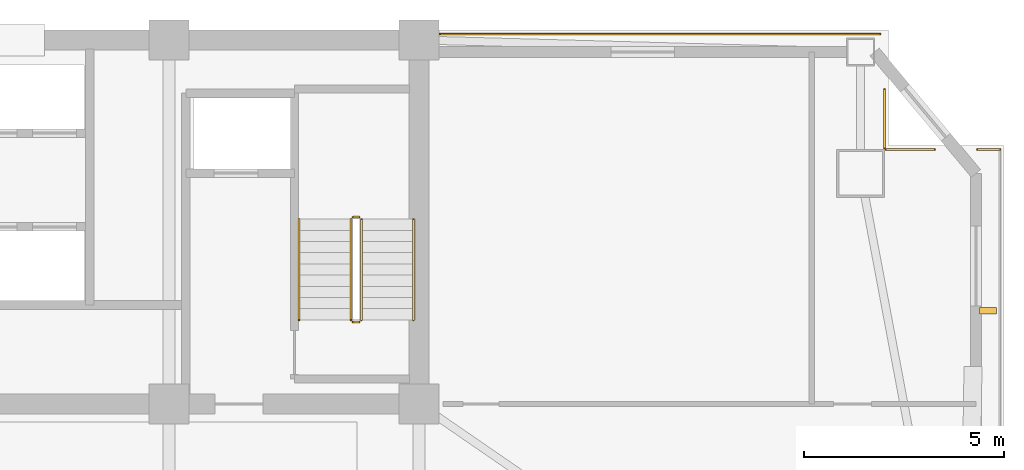
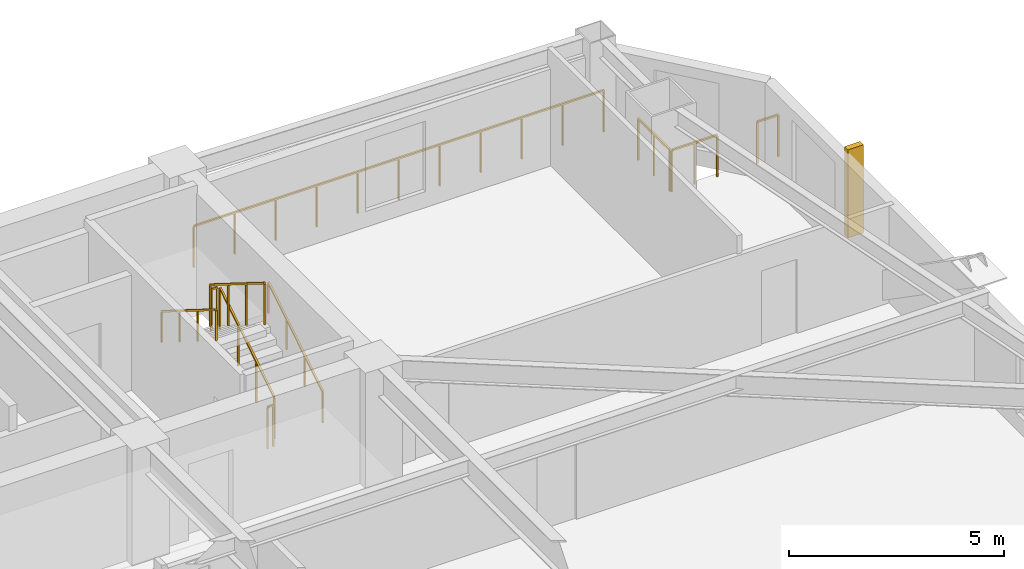
# One storey, part 15 of 15: 10 railings, 1 shading device.
"""IFC4 building model written with IfcOpenShell, lengths in metres."""

from ifc_helpers import new_model, si_unit, direction, frame, origin, origin_2d, place, context, subcontext, project, spatial, rectangle, extrude, source, transform, mapped, material, type_object, element, save


model = new_model("IFC4")

# Units and contexts
model_context = context("Model", 3, precision=1e-05, world=origin(), true_north=direction((0.0, 1.0)))
body_context = subcontext(model_context, "Body", "Model", "MODEL_VIEW")
ifc_project = project(units=[si_unit("LENGTHUNIT", "METRE"), si_unit("AREAUNIT", "SQUARE_METRE"), si_unit("VOLUMEUNIT", "CUBIC_METRE"), si_unit("PLANEANGLEUNIT", "RADIAN"), si_unit("MASSUNIT", "GRAM", prefix="KILO")], contexts=[model_context])

# Site, building, storey
site_placement = place(None, origin())
site = spatial("IfcSite", under=ifc_project, at=site_placement, CompositionType="ELEMENT")
building_placement = place(site_placement, origin())
building = spatial("IfcBuilding", under=site, at=building_placement, Name="Giltprow Tower", CompositionType="ELEMENT")
storey_placement = place(building_placement, frame((0.0, 0.0, 173.699951171875)))
storey = spatial("IfcBuildingStorey", under=building, at=storey_placement, Name="L43", CompositionType="ELEMENT", Elevation=173.699951171875)

# Railings
ifc_material = material(Name="Anodized bronze", Category="metal")
railing_type_1 = type_object("IfcRailingType", Name="RAIL-BALC-GUARD-1200", PredefinedType="BALUSTRADE", material=ifc_material)
railing_1_placement = place(storey_placement, frame((51.0849609375, 46.699951171875, 0.0)))
element("IfcRailing", 1, at=railing_1_placement, inside=storey, type_object=railing_type_1, Name="L43 Corner Apron Edge Balustrade 10", PredefinedType="BALUSTRADE", context=body_context, shape_type="SweptSolid", body=[
    extrude(rectangle(XDim=0.048095703125, YDim=0.048095703125, at=origin_2d()), frame((0.0, 0.0, 1.17578125), z_axis=(1.0, 0.0, 0.0), x_axis=(0.0, 1.0, 0.0)), (0.0, 0.0, 1.0), 10.991943359375),
    extrude(rectangle(XDim=0.0419921875, YDim=0.0419921875, at=origin_2d()), origin(), (0.0, 0.0, 1.0), 1.15185546875),
    extrude(rectangle(XDim=0.0419921875, YDim=0.0419921875, at=origin_2d()), frame((1.09912109375, 0.0, 0.0)), (0.0, 0.0, 1.0), 1.15185546875),
    extrude(rectangle(XDim=0.0419921875, YDim=0.0419921875, at=origin_2d()), frame((2.198486328125, 0.0, 0.0)), (0.0, 0.0, 1.0), 1.15185546875),
    extrude(rectangle(XDim=0.0419921875, YDim=0.0419921875, at=origin_2d()), frame((3.297607421875, 0.0, 0.0)), (0.0, 0.0, 1.0), 1.15185546875),
    extrude(rectangle(XDim=0.0419921875, YDim=0.0419921875, at=origin_2d()), frame((4.396728515625, 0.0, 0.0)), (0.0, 0.0, 1.0), 1.15185546875),
    extrude(rectangle(XDim=0.0419921875, YDim=0.0419921875, at=origin_2d()), frame((5.49609375, 0.0, 0.0)), (0.0, 0.0, 1.0), 1.15185546875),
    extrude(rectangle(XDim=0.0419921875, YDim=0.0419921875, at=origin_2d()), frame((6.59521484375, 0.0, 0.0)), (0.0, 0.0, 1.0), 1.15185546875),
    extrude(rectangle(XDim=0.0419921875, YDim=0.0419921875, at=origin_2d()), frame((7.6943359375, 0.0, 0.0)), (0.0, 0.0, 1.0), 1.15185546875),
    extrude(rectangle(XDim=0.0419921875, YDim=0.0419921875, at=origin_2d()), frame((8.79345703125, 0.0, 0.0)), (0.0, 0.0, 1.0), 1.15185546875),
    extrude(rectangle(XDim=0.0419921875, YDim=0.0419921875, at=origin_2d()), frame((9.892822265625, 0.0, 0.0)), (0.0, 0.0, 1.0), 1.15185546875),
    extrude(rectangle(XDim=0.0419921875, YDim=0.0419921875, at=origin_2d()), frame((10.991943359375, 0.0, 0.0)), (0.0, 0.0, 1.0), 1.15185546875),
])
railing_2_placement = place(storey_placement, frame((62.194091796875, 45.31103515625, 0.0)))
element("IfcRailing", 2, at=railing_2_placement, inside=storey, type_object=railing_type_1, Name="L43 Corner Apron Edge Balustrade 11", PredefinedType="BALUSTRADE", context=body_context, shape_type="SweptSolid", body=[
    extrude(rectangle(XDim=0.048095703125, YDim=0.048095703125, at=origin_2d()), frame((0.0, 0.0, 1.17578125), z_axis=(0.0, -1.0, 0.0), x_axis=(1.0, 0.0, 0.0)), (0.0, 0.0, 1.0), 1.463134765625),
    extrude(rectangle(XDim=0.0419921875, YDim=0.0419921875, at=origin_2d()), origin(), (0.0, 0.0, 1.0), 1.15185546875),
    extrude(rectangle(XDim=0.0419921875, YDim=0.0419921875, at=origin_2d()), frame((0.0, -0.7314453125, 0.0)), (0.0, 0.0, 1.0), 1.15185546875),
    extrude(rectangle(XDim=0.0419921875, YDim=0.0419921875, at=origin_2d()), frame((0.0, -1.463134765625, 0.0)), (0.0, 0.0, 1.0), 1.15185546875),
])
railing_3_placement = place(storey_placement, frame((62.22900390625, 43.81298828125, 0.0)))
element("IfcRailing", 3, at=railing_3_placement, inside=storey, type_object=railing_type_1, Name="L43 Corner Apron Edge Balustrade 12", PredefinedType="BALUSTRADE", context=body_context, shape_type="SweptSolid", body=[
    extrude(rectangle(XDim=0.048095703125, YDim=0.048095703125, at=origin_2d()), frame((0.0, 0.0, 1.17578125), z_axis=(1.0, 0.0, 0.0), x_axis=(0.0, 1.0, 0.0)), (0.0, 0.0, 1.0), 1.217041015625),
    extrude(rectangle(XDim=0.0419921875, YDim=0.0419921875, at=origin_2d()), origin(), (0.0, 0.0, 1.0), 1.15185546875),
    extrude(rectangle(XDim=0.0419921875, YDim=0.0419921875, at=origin_2d()), frame((0.6083984375, 0.0, 0.0)), (0.0, 0.0, 1.0), 1.15185546875),
    extrude(rectangle(XDim=0.0419921875, YDim=0.0419921875, at=origin_2d()), frame((1.217041015625, 0.0, 0.0)), (0.0, 0.0, 1.0), 1.15185546875),
])
railing_4_placement = place(storey_placement, frame((64.513916015625, 43.81298828125, 0.0)))
element("IfcRailing", 4, at=railing_4_placement, inside=storey, type_object=railing_type_1, Name="L43 Corner Apron Edge Balustrade 13", PredefinedType="BALUSTRADE", context=body_context, shape_type="SweptSolid", body=[
    extrude(rectangle(XDim=0.048095703125, YDim=0.048095703125, at=origin_2d()), frame((0.0, 0.0, 1.17578125), z_axis=(1.0, 0.0, 0.0), x_axis=(0.0, 1.0, 0.0)), (0.0, 0.0, 1.0), 0.567138671875),
    extrude(rectangle(XDim=0.0419921875, YDim=0.0419921875, at=origin_2d()), origin(), (0.0, 0.0, 1.0), 1.15185546875),
    extrude(rectangle(XDim=0.0419921875, YDim=0.0419921875, at=origin_2d()), frame((0.567138671875, 0.0, 0.0)), (0.0, 0.0, 1.0), 1.15185546875),
])
railing_type_2 = type_object("IfcRailingType", Name="RAIL-STAIR-GUARD-1200", PredefinedType="GUARDRAIL", material=ifc_material)
railing_5_placement = place(storey_placement, frame((49.110107421875, 39.550048828125, 0.175048828125)))
element("IfcRailing", 5, at=railing_5_placement, inside=storey, type_object=railing_type_2, Name="L43 ST-3 stair guard 1", PredefinedType="GUARDRAIL", context=body_context, shape_type="SweptSolid", body=[
    extrude(rectangle(XDim=0.048095703125, YDim=0.048095703125, at=origin_2d()), frame((0.0, 0.0, 1.17578125), z_axis=(0.0, 0.848007534815, 0.529984170421), x_axis=(-1.0, 0.0, 0.0)), (0.0, 0.0, 1.0), 2.9716796875),
    extrude(rectangle(XDim=0.0419921875, YDim=0.0419921875, at=origin_2d()), origin(), (0.0, 0.0, 1.0), 1.15185546875),
    extrude(rectangle(XDim=0.0419921875, YDim=0.0419921875, at=origin_2d()), frame((0.0, 0.840087890625, 0.52490234375)), (0.0, 0.0, 1.0), 1.15185546875),
    extrude(rectangle(XDim=0.0419921875, YDim=0.0419921875, at=origin_2d()), frame((0.0, 1.679931640625, 1.050048828125)), (0.0, 0.0, 1.0), 1.15185546875),
    extrude(rectangle(XDim=0.0419921875, YDim=0.0419921875, at=origin_2d()), frame((0.0, 2.52001953125, 1.574951171875)), (0.0, 0.0, 1.0), 1.15185546875),
])
railing_6_placement = place(storey_placement, frame((49.06005859375, 42.1201171875, 1.75)))
element("IfcRailing", 6, at=railing_6_placement, inside=storey, type_object=railing_type_2, Name="L43 ST-3 stair guard 2", PredefinedType="GUARDRAIL", context=body_context, shape_type="SweptSolid", body=[
    extrude(rectangle(XDim=0.048095703125, YDim=0.048095703125, at=origin_2d()), frame((0.0, 0.0, 1.17578125), z_axis=(-1.0, 0.0, 0.0), x_axis=(0.0, -1.0, 0.0)), (0.0, 0.0, 1.0), 0.16015625),
    extrude(rectangle(XDim=0.0419921875, YDim=0.0419921875, at=origin_2d()), origin(), (0.0, 0.0, 1.0), 1.15185546875),
    extrude(rectangle(XDim=0.0419921875, YDim=0.0419921875, at=origin_2d()), frame((-0.16015625, 0.0, 0.0)), (0.0, 0.0, 1.0), 1.15185546875),
])
railing_7_placement = place(storey_placement, frame((48.85009765625, 42.070068359375, 1.925048828125)))
element("IfcRailing", 7, at=railing_7_placement, inside=storey, type_object=railing_type_2, Name="L43 ST-3 stair guard 3", PredefinedType="GUARDRAIL", context=body_context, shape_type="SweptSolid", body=[
    extrude(rectangle(XDim=0.048095703125, YDim=0.048095703125, at=origin_2d()), frame((0.0, 0.0, 1.17578125), z_axis=(0.0, -0.848007534815, 0.529984170421), x_axis=(1.0, 0.0, 0.0)), (0.0, 0.0, 1.0), 2.9716796875),
    extrude(rectangle(XDim=0.0419921875, YDim=0.0419921875, at=origin_2d()), origin(), (0.0, 0.0, 1.0), 1.15185546875),
    extrude(rectangle(XDim=0.0419921875, YDim=0.0419921875, at=origin_2d()), frame((0.0, -0.840087890625, 0.52490234375)), (0.0, 0.0, 1.0), 1.15185546875),
    extrude(rectangle(XDim=0.0419921875, YDim=0.0419921875, at=origin_2d()), frame((0.0, -1.679931640625, 1.050048828125)), (0.0, 0.0, 1.0), 1.15185546875),
    extrude(rectangle(XDim=0.0419921875, YDim=0.0419921875, at=origin_2d()), frame((0.0, -2.52001953125, 1.574951171875)), (0.0, 0.0, 1.0), 1.15185546875),
])
railing_8_placement = place(storey_placement, frame((49.06005859375, 39.5, 0.0)))
element("IfcRailing", 8, at=railing_8_placement, inside=storey, type_object=railing_type_2, Name="L43 ST-3 stair guard 4", PredefinedType="GUARDRAIL", context=body_context, shape_type="SweptSolid", body=[
    extrude(rectangle(XDim=0.048095703125, YDim=0.048095703125, at=origin_2d()), frame((0.0, 0.0, 1.17578125), z_axis=(-1.0, 0.0, 0.0), x_axis=(0.0, -1.0, 0.0)), (0.0, 0.0, 1.0), 0.16015625),
    extrude(rectangle(XDim=0.0419921875, YDim=0.0419921875, at=origin_2d()), origin(), (0.0, 0.0, 1.0), 1.15185546875),
    extrude(rectangle(XDim=0.0419921875, YDim=0.0419921875, at=origin_2d()), frame((-0.16015625, 0.0, 0.0)), (0.0, 0.0, 1.0), 1.15185546875),
])
railing_type_3 = type_object("IfcRailingType", Name="RAIL-STAIR-HAND-900", PredefinedType="HANDRAIL", material=ifc_material)
railing_9_placement = place(storey_placement, frame((50.409912109375, 39.550048828125, 0.175048828125)))
element("IfcRailing", 9, at=railing_9_placement, inside=storey, type_object=railing_type_3, Name="L43 ST-3 stair handrail 1", PredefinedType="HANDRAIL", context=body_context, shape_type="SweptSolid", body=[
    extrude(rectangle(XDim=0.048095703125, YDim=0.048095703125, at=origin_2d()), frame((0.0, 0.0, 0.8759765625), z_axis=(0.0, 0.848007534815, 0.529984170421), x_axis=(-1.0, 0.0, 0.0)), (0.0, 0.0, 1.0), 2.9716796875),
    extrude(rectangle(XDim=0.0419921875, YDim=0.0419921875, at=origin_2d()), origin(), (0.0, 0.0, 1.0), 0.851806640625),
    extrude(rectangle(XDim=0.0419921875, YDim=0.0419921875, at=origin_2d()), frame((0.0, 0.840087890625, 0.52490234375)), (0.0, 0.0, 1.0), 0.851806640625),
    extrude(rectangle(XDim=0.0419921875, YDim=0.0419921875, at=origin_2d()), frame((0.0, 1.679931640625, 1.050048828125)), (0.0, 0.0, 1.0), 0.851806640625),
    extrude(rectangle(XDim=0.0419921875, YDim=0.0419921875, at=origin_2d()), frame((0.0, 2.52001953125, 1.574951171875)), (0.0, 0.0, 1.0), 0.851806640625),
])
railing_10_placement = place(storey_placement, frame((47.550048828125, 42.070068359375, 1.925048828125)))
element("IfcRailing", 10, at=railing_10_placement, inside=storey, type_object=railing_type_3, Name="L43 ST-3 stair handrail 2", PredefinedType="HANDRAIL", context=body_context, shape_type="SweptSolid", body=[
    extrude(rectangle(XDim=0.048095703125, YDim=0.048095703125, at=origin_2d()), frame((0.0, 0.0, 0.8759765625), z_axis=(0.0, -0.848007534815, 0.529984170421), x_axis=(1.0, 0.0, 0.0)), (0.0, 0.0, 1.0), 2.9716796875),
    extrude(rectangle(XDim=0.0419921875, YDim=0.0419921875, at=origin_2d()), origin(), (0.0, 0.0, 1.0), 0.851806640625),
    extrude(rectangle(XDim=0.0419921875, YDim=0.0419921875, at=origin_2d()), frame((0.0, -0.840087890625, 0.52490234375)), (0.0, 0.0, 1.0), 0.851806640625),
    extrude(rectangle(XDim=0.0419921875, YDim=0.0419921875, at=origin_2d()), frame((0.0, -1.679931640625, 1.050048828125)), (0.0, 0.0, 1.0), 0.851806640625),
    extrude(rectangle(XDim=0.0419921875, YDim=0.0419921875, at=origin_2d()), frame((0.0, -2.52001953125, 1.574951171875)), (0.0, 0.0, 1.0), 0.851806640625),
])

# Shading device
shading_device_type = type_object("IfcShadingDeviceType", Name="SHD-FIN-420", PredefinedType="USERDEFINED", material=ifc_material)
shared_shape = source(origin(), body_context, "Body", "SweptSolid", [
    extrude(rectangle(XDim=0.419921875, YDim=0.159912109375, at=origin_2d()), origin(), (0.0, 0.0, 1.0), 2.5),
])
shading_device_placement = place(storey_placement, frame((64.781005859375, 39.779052734375, 0.35009765625), z_axis=(0.0, 0.0, 1.0), x_axis=(1.0, 0.0, 0.0)))
element("IfcShadingDevice", 11, at=shading_device_placement, inside=storey, type_object=shading_device_type, Name="L43 E Bronze Vertical Fin 2-2", ObjectType="FIN", PredefinedType="USERDEFINED", context=body_context, shape_type="MappedRepresentation", body=[
    mapped(shared_shape, transform((0.0, 0.0, 0.0), x_axis=(1.0, 0.0, 0.0), y_axis=(0.0, 1.0, 0.0), z_axis=(0.0, 0.0, 1.0), scale=1.0)),
])

save(model, "model.ifc")
